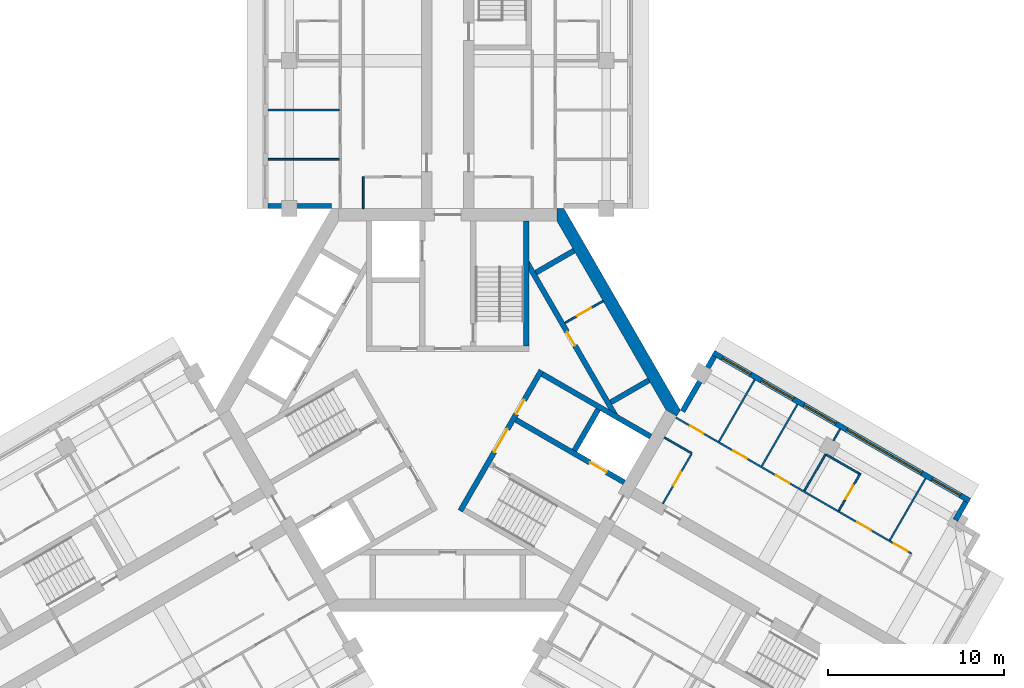
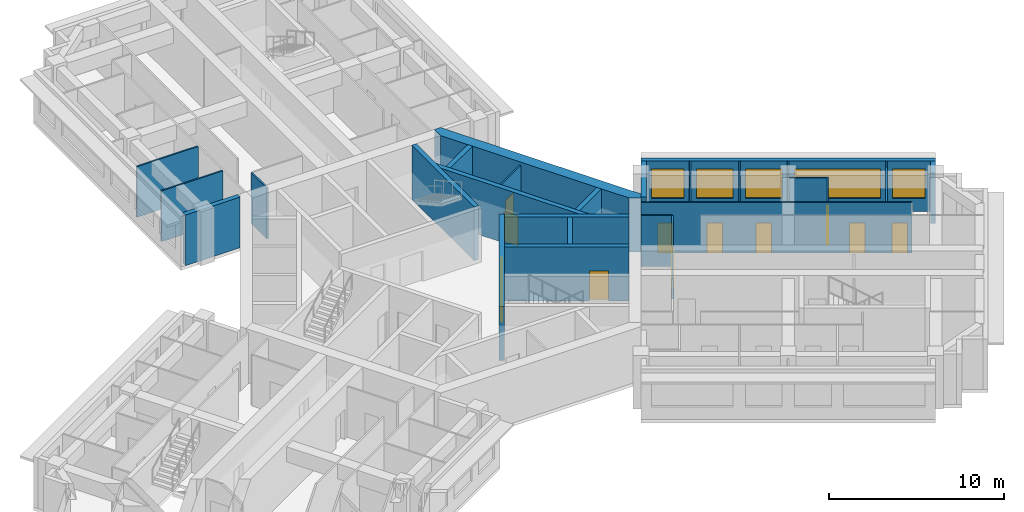
# One storey, part 6 of 10: 27 walls, 12 doors, 5 windows, 17 openings.
"""IFC4 building model written with IfcOpenShell, lengths in metres."""

from ifc_helpers import new_model, si_unit, direction, frame, frame_2d, origin, place, context, subcontext, project, spatial, polyline, rectangle, outline, extrude, material, layer, layer_set, type_object, element, fill, save


model = new_model("IFC4")

# Units and contexts
model_context = context("Model", 3, precision=1e-05, world=origin(), true_north=direction((0.0, 1.0)))
body_context = subcontext(model_context, "Body", "Model", "MODEL_VIEW")
ifc_project = project(units=[si_unit("LENGTHUNIT", "METRE"), si_unit("AREAUNIT", "SQUARE_METRE"), si_unit("VOLUMEUNIT", "CUBIC_METRE"), si_unit("PLANEANGLEUNIT", "RADIAN"), si_unit("MASSUNIT", "GRAM", prefix="KILO")], contexts=[model_context])

# Site, building, storey
site_placement = place(None, origin())
site = spatial("IfcSite", under=ifc_project, at=site_placement, CompositionType="ELEMENT")
building_placement = place(site_placement, origin())
building = spatial("IfcBuilding", under=site, at=building_placement, Name="Impinga Residences", CompositionType="ELEMENT")
storey_placement = place(building_placement, frame((0.0, 0.0, 267.25)))
storey = spatial("IfcBuildingStorey", under=building, at=storey_placement, Name="L67", CompositionType="ELEMENT", Elevation=267.25)

# Wall, opening, door
ifc_material_1 = material(Name="Concrete blockwork", Category="masonry")
ifc_layer_1 = layer(ifc_material_1, 0.10009765625)
ifc_layer_set_1 = layer_set([ifc_layer_1], Name="CP1 core room partition, blockwork 100")
wall_type_1 = type_object("IfcWallType", Name="CP1 core room partition, blockwork 100", PredefinedType="PARTITIONING", material=ifc_layer_set_1)
wall_1_placement = place(storey_placement, frame((6.65380859375, 4.9384765625, 0.0), z_axis=(0.0, 0.0, 1.0), x_axis=(0.866022959057, 0.500004234368, 0.0)))
wall_1 = element("IfcWall", 1, at=wall_1_placement, inside=storey, type_object=wall_type_1, Name="Core room partition, blockwork L67:CORE:mid:ZP1", PredefinedType="PARTITIONING", context=body_context, shape_type="SweptSolid", body=[
    extrude(rectangle(XDim=2.5, YDim=0.10009765625, at=frame_2d((1.25, 0.0))), origin(), (0.0, 0.0, 1.0), 3.530029296875),
])
opening_1_placement = place(wall_1_placement, frame((0.800048828125, 0.0, 0.0)))
opening_1 = element("IfcOpeningElement", 2, at=opening_1_placement, cuts=wall_1, Name="Opening D6", PredefinedType="OPENING", context=body_context, shape_type="SweptSolid", body=[
    extrude(rectangle(XDim=0.89990234375, YDim=2.10009765625, at=frame_2d((0.449951171875, 1.050048828125))), frame((0.0, 0.06005859375, 0.0), z_axis=(0.0, -1.0, 0.0), x_axis=(1.0, 0.0, 0.0)), (0.0, 0.0, 1.0), 0.1201171875),
])
ifc_material_2 = material(Name="Timber door set", Category="wood")
door_type_1 = type_object("IfcDoorType", Name="D6 riser and store door 900x2100", OperationType="SINGLE_SWING_LEFT", PredefinedType="DOOR", material=ifc_material_2)
door_1_placement = place(opening_1_placement, origin())
door_1 = element("IfcDoor", 3, at=door_1_placement, inside=storey, type_object=door_type_1, Name="Staff WC door", OperationType="SINGLE_SWING_LEFT", OverallHeight=2.10009765625, OverallWidth=0.89990234375, PredefinedType="DOOR", context=body_context, shape_type="SweptSolid", body=[
    extrude(rectangle(XDim=0.89990234375, YDim=2.10009765625, at=frame_2d((0.449951171875, 1.050048828125))), frame((0.0, 0.02490234375, 0.0), z_axis=(0.0, -1.0, 0.0), x_axis=(1.0, 0.0, 0.0)), (0.0, 0.0, 1.0), 0.050048828125),
])
fill(opening_1, door_1)

# Walls
ifc_material_3 = material(Name="Terracotta rainscreen on blockwork", Category="masonry")
ifc_layer_2 = layer(ifc_material_3, 0.300048828125)
ifc_layer_set_2 = layer_set([ifc_layer_2], Name="EW1 external wall, terracotta rainscreen on blockwork 300")
wall_type_2 = type_object("IfcWallType", Name="EW1 external wall, terracotta rainscreen on blockwork 300", PredefinedType="SOLIDWALL", material=ifc_layer_set_2)
wall_2_placement = place(storey_placement, frame((-6.60009765625, 11.58154296875, 0.0), z_axis=(0.0, 0.0, 1.0), x_axis=(-1.0, 0.0, 0.0)))
element("IfcWall", 4, at=wall_2_placement, inside=storey, type_object=wall_type_2, Name="External wall EW1 L67", PredefinedType="SOLIDWALL", context=body_context, shape_type="SweptSolid", body=[
    extrude(rectangle(XDim=3.599853515625, YDim=0.300048828125, at=frame_2d((1.7998046875, 0.0))), origin(), (0.0, 0.0, 1.0), 3.530029296875),
])
wall_3_placement = place(storey_placement, frame((13.329833984375, -0.074951171875, 0.0), z_axis=(0.0, 0.0, 1.0), x_axis=(0.500012057535, 0.866018442252, 0.0)))
element("IfcWall", 5, at=wall_3_placement, inside=storey, type_object=wall_type_2, Name="External wall EW1 L67", PredefinedType="SOLIDWALL", context=body_context, shape_type="SweptSolid", body=[
    extrude(rectangle(XDim=3.60009765625, YDim=0.300048828125, at=frame_2d((1.800048828125, 0.0))), origin(), (0.0, 0.0, 1.0), 3.530029296875),
])

# Wall, openings, windows
wall_4_placement = place(storey_placement, frame((15.074951171875, 3.24755859375, 0.0), z_axis=(0.0, 0.0, 1.0), x_axis=(0.86602925447, -0.499993330357, 0.0)))
wall_4 = element("IfcWall", 6, at=wall_4_placement, inside=storey, type_object=wall_type_2, Name="External wall EW1 L67", PredefinedType="SOLIDWALL", context=body_context, shape_type="SweptSolid", body=[
    extrude(rectangle(XDim=16.800048828125, YDim=0.300048828125, at=frame_2d((8.39990234375, 0.0))), origin(), (0.0, 0.0, 1.0), 3.530029296875),
])
opening_2_placement = place(wall_4_placement, frame((0.60009765625, 0.0, 0.89990234375)))
opening_2 = element("IfcOpeningElement", 7, at=opening_2_placement, cuts=wall_4, Name="Opening W15", PredefinedType="OPENING", context=body_context, shape_type="SweptSolid", body=[
    extrude(rectangle(XDim=1.85009765625, YDim=2.050048828125, at=frame_2d((0.925048828125, 1.02490234375))), frame((0.0, 0.159912109375, 0.0), z_axis=(0.0, -1.0, 0.0), x_axis=(1.0, 0.0, 0.0)), (0.0, 0.0, 1.0), 0.320068359375),
])
opening_3_placement = place(wall_4_placement, frame((3.14990234375, 0.0, 0.89990234375)))
opening_3 = element("IfcOpeningElement", 8, at=opening_3_placement, cuts=wall_4, Name="Opening W9", PredefinedType="OPENING", context=body_context, shape_type="SweptSolid", body=[
    extrude(rectangle(XDim=2.10009765625, YDim=2.050048828125, at=frame_2d((1.050048828125, 1.02490234375))), frame((0.0, 0.159912109375, 0.0), z_axis=(0.0, -1.0, 0.0), x_axis=(1.0, 0.0, 0.0)), (0.0, 0.0, 1.0), 0.320068359375),
])
opening_4_placement = place(wall_4_placement, frame((5.949951171875, 0.0, 0.89990234375)))
opening_4 = element("IfcOpeningElement", 9, at=opening_4_placement, cuts=wall_4, Name="Opening W9", PredefinedType="OPENING", context=body_context, shape_type="SweptSolid", body=[
    extrude(rectangle(XDim=2.10009765625, YDim=2.050048828125, at=frame_2d((1.050048828125, 1.02490234375))), frame((0.0, 0.159912109375, 0.0), z_axis=(0.0, -1.0, 0.0), x_axis=(1.0, 0.0, 0.0)), (0.0, 0.0, 1.0), 0.320068359375),
])
opening_5_placement = place(wall_4_placement, frame((8.75, 0.0, 0.89990234375)))
opening_5 = element("IfcOpeningElement", 10, at=opening_5_placement, cuts=wall_4, Name="Opening W16", PredefinedType="OPENING", context=body_context, shape_type="SweptSolid", body=[
    extrude(rectangle(XDim=4.89990234375, YDim=2.050048828125, at=frame_2d((2.449951171875, 1.02490234375))), frame((0.0, 0.159912109375, 0.0), z_axis=(0.0, -1.0, 0.0), x_axis=(1.0, 0.0, 0.0)), (0.0, 0.0, 1.0), 0.320068359375),
])
opening_6_placement = place(wall_4_placement, frame((14.35009765625, 0.0, 0.89990234375)))
opening_6 = element("IfcOpeningElement", 11, at=opening_6_placement, cuts=wall_4, Name="Opening W15", PredefinedType="OPENING", context=body_context, shape_type="SweptSolid", body=[
    extrude(rectangle(XDim=1.85009765625, YDim=2.050048828125, at=frame_2d((0.925048828125, 1.02490234375))), frame((0.0, 0.159912109375, 0.0), z_axis=(0.0, -1.0, 0.0), x_axis=(1.0, 0.0, 0.0)), (0.0, 0.0, 1.0), 0.320068359375),
])
ifc_material_4 = material(Name="Aluminium window, clear double glazing", Category="aluminium")
window_type_1 = type_object("IfcWindowType", Name="W15 ribbon window 1850x2050", PartitioningType="SINGLE_PANEL", PredefinedType="WINDOW", material=ifc_material_4)
window_1_placement = place(opening_2_placement, origin())
window_1 = element("IfcWindow", 12, at=window_1_placement, inside=storey, type_object=window_type_1, Name="Window L67", OverallHeight=2.050048828125, OverallWidth=1.85009765625, PartitioningType="SINGLE_PANEL", PredefinedType="WINDOW", context=body_context, shape_type="SweptSolid", body=[
    extrude(rectangle(XDim=1.85009765625, YDim=2.050048828125, at=frame_2d((0.925048828125, 1.02490234375))), frame((0.0, 0.030029296875, 0.0), z_axis=(0.0, -1.0, 0.0), x_axis=(1.0, 0.0, 0.0)), (0.0, 0.0, 1.0), 0.06005859375),
])
fill(opening_2, window_1)
window_2_placement = place(opening_6_placement, origin())
window_2 = element("IfcWindow", 13, at=window_2_placement, inside=storey, type_object=window_type_1, Name="Window L67", OverallHeight=2.050048828125, OverallWidth=1.85009765625, PartitioningType="SINGLE_PANEL", PredefinedType="WINDOW", context=body_context, shape_type="SweptSolid", body=[
    extrude(rectangle(XDim=1.85009765625, YDim=2.050048828125, at=frame_2d((0.925048828125, 1.02490234375))), frame((0.0, 0.030029296875, 0.0), z_axis=(0.0, -1.0, 0.0), x_axis=(1.0, 0.0, 0.0)), (0.0, 0.0, 1.0), 0.06005859375),
])
fill(opening_6, window_2)
window_type_2 = type_object("IfcWindowType", Name="W16 ribbon window 4900x2050", PartitioningType="SINGLE_PANEL", PredefinedType="WINDOW", material=ifc_material_4)
window_3_placement = place(opening_5_placement, origin())
window_3 = element("IfcWindow", 14, at=window_3_placement, inside=storey, type_object=window_type_2, Name="Window L67", OverallHeight=2.050048828125, OverallWidth=4.89990234375, PartitioningType="SINGLE_PANEL", PredefinedType="WINDOW", context=body_context, shape_type="SweptSolid", body=[
    extrude(rectangle(XDim=4.89990234375, YDim=2.050048828125, at=frame_2d((2.449951171875, 1.02490234375))), frame((0.0, 0.030029296875, 0.0), z_axis=(0.0, -1.0, 0.0), x_axis=(1.0, 0.0, 0.0)), (0.0, 0.0, 1.0), 0.06005859375),
])
fill(opening_5, window_3)
window_type_3 = type_object("IfcWindowType", Name="W9 ribbon window 2100x2050", PartitioningType="SINGLE_PANEL", PredefinedType="WINDOW", material=ifc_material_4)
window_4_placement = place(opening_3_placement, origin())
window_4 = element("IfcWindow", 15, at=window_4_placement, inside=storey, type_object=window_type_3, Name="Window L67", OverallHeight=2.050048828125, OverallWidth=2.10009765625, PartitioningType="SINGLE_PANEL", PredefinedType="WINDOW", context=body_context, shape_type="SweptSolid", body=[
    extrude(rectangle(XDim=2.10009765625, YDim=2.050048828125, at=frame_2d((1.050048828125, 1.02490234375))), frame((0.0, 0.030029296875, 0.0), z_axis=(0.0, -1.0, 0.0), x_axis=(1.0, 0.0, 0.0)), (0.0, 0.0, 1.0), 0.06005859375),
])
fill(opening_3, window_4)
window_5_placement = place(opening_4_placement, origin())
window_5 = element("IfcWindow", 16, at=window_5_placement, inside=storey, type_object=window_type_3, Name="Window L67", OverallHeight=2.050048828125, OverallWidth=2.10009765625, PartitioningType="SINGLE_PANEL", PredefinedType="WINDOW", context=body_context, shape_type="SweptSolid", body=[
    extrude(rectangle(XDim=2.10009765625, YDim=2.050048828125, at=frame_2d((1.050048828125, 1.02490234375))), frame((0.0, 0.030029296875, 0.0), z_axis=(0.0, -1.0, 0.0), x_axis=(1.0, 0.0, 0.0)), (0.0, 0.0, 1.0), 0.06005859375),
])
fill(opening_4, window_5)

# Walls
wall_5_placement = place(storey_placement, frame((29.41943359375, -5.207275390625, 0.0), z_axis=(0.0, 0.0, 1.0), x_axis=(-0.500033551112, -0.866006032174, 0.0)))
element("IfcWall", 17, at=wall_5_placement, inside=storey, type_object=wall_type_2, Name="External wall EW1 L67", PredefinedType="SOLIDWALL", context=body_context, shape_type="SweptSolid", body=[
    extrude(rectangle(XDim=1.2001953125, YDim=0.300048828125, at=frame_2d((0.60009765625, 0.0))), origin(), (0.0, 0.0, 1.0), 3.530029296875),
])
ifc_material_5 = material(Name="Gypsum board on steel studs", Category="steel")
ifc_layer_3 = layer(ifc_material_5, 0.10009765625)
ifc_layer_set_3 = layer_set([ifc_layer_3], Name="Gypsum board on steel studs")
wall_type_3 = type_object("IfcWallType", Name="IP1 partition 100", PredefinedType="PARTITIONING", material=ifc_layer_set_3)
wall_6_placement = place(storey_placement, frame((-4.800048828125, 11.431640625, 0.0), z_axis=(0.0, 0.0, 1.0), x_axis=(0.0, 1.0, 0.0)))
element("IfcWall", 18, at=wall_6_placement, inside=storey, type_object=wall_type_3, Name="Partition L67-NA1:DIV0", PredefinedType="PARTITIONING", context=body_context, shape_type="SweptSolid", body=[
    extrude(rectangle(XDim=1.7998046875, YDim=0.10009765625, at=frame_2d((0.89990234375, 0.0))), origin(), (0.0, 0.0, 1.0), 3.530029296875),
])
for number, where, z_axis, x_axis, name in (
    (19, (-6.14990234375, 14.2314453125, 0.0), (0.0, 0.0, 1.0), (-1.0, 0.0, 0.0), "Partition L67-NA1:OB1"),
    (20, (-6.14990234375, 17.031494140625, 0.0), (0.0, 0.0, 1.0), (-1.0, 0.0, 0.0), "Partition L67-NA1:OB2"),
):
    element("IfcWall", number, at=place(storey_placement, frame(where, z_axis=z_axis, x_axis=x_axis)), inside=storey, type_object=wall_type_3, Name=name, PredefinedType="PARTITIONING", context=body_context, shape_type="SweptSolid", body=[
        extrude(rectangle(XDim=4.050048828125, YDim=0.10009765625, at=frame_2d((2.02490234375, 0.0))), origin(), (0.0, 0.0, 1.0), 3.530029296875),
    ])
wall_7_placement = place(storey_placement, frame((12.300048828125, -1.558837890625, 0.0), z_axis=(0.0, 0.0, 1.0), x_axis=(0.866047807691, -0.499961193289, 0.0)))
element("IfcWall", 21, at=wall_7_placement, inside=storey, type_object=wall_type_3, Name="Partition L67-EA1:DIV0", PredefinedType="PARTITIONING", context=body_context, shape_type="SweptSolid", body=[
    extrude(rectangle(XDim=1.800048828125, YDim=0.10009765625, at=frame_2d((0.89990234375, 0.0))), origin(), (0.0, 0.0, 1.0), 3.530029296875),
])

# Wall, openings, doors
wall_8_placement = place(storey_placement, frame((12.949951171875, -0.43310546875, 0.0), z_axis=(0.0, 0.0, 1.0), x_axis=(0.866030066916, -0.499991923133, 0.0)))
wall_8 = element("IfcWall", 22, at=wall_8_placement, inside=storey, type_object=wall_type_3, Name="Partition L67-EA1:STRIP", PredefinedType="PARTITIONING", context=body_context, shape_type="SweptSolid", body=[
    extrude(rectangle(XDim=15.449951171875, YDim=0.10009765625, at=frame_2d((7.72509765625, 0.0))), origin(), (0.0, 0.0, 1.0), 3.530029296875),
])
opening_7_placement = place(wall_8_placement, frame((0.925048828125, 0.0, 0.0)))
opening_7 = element("IfcOpeningElement", 23, at=opening_7_placement, cuts=wall_8, Name="Opening D2", PredefinedType="OPENING", context=body_context, shape_type="SweptSolid", body=[
    extrude(rectangle(XDim=0.89990234375, YDim=2.10009765625, at=frame_2d((0.449951171875, 1.050048828125))), frame((0.0, 0.06005859375, 0.0), z_axis=(0.0, -1.0, 0.0), x_axis=(1.0, 0.0, 0.0)), (0.0, 0.0, 1.0), 0.1201171875),
])
opening_8_placement = place(wall_8_placement, frame((3.75, 0.0, 0.0)))
opening_8 = element("IfcOpeningElement", 24, at=opening_8_placement, cuts=wall_8, Name="Opening D2", PredefinedType="OPENING", context=body_context, shape_type="SweptSolid", body=[
    extrude(rectangle(XDim=0.89990234375, YDim=2.10009765625, at=frame_2d((0.449951171875, 1.050048828125))), frame((0.0, 0.06005859375, 0.0), z_axis=(0.0, -1.0, 0.0), x_axis=(1.0, 0.0, 0.0)), (0.0, 0.0, 1.0), 0.1201171875),
])
opening_9_placement = place(wall_8_placement, frame((6.550048828125, 0.0, 0.0)))
opening_9 = element("IfcOpeningElement", 25, at=opening_9_placement, cuts=wall_8, Name="Opening D2", PredefinedType="OPENING", context=body_context, shape_type="SweptSolid", body=[
    extrude(rectangle(XDim=0.89990234375, YDim=2.10009765625, at=frame_2d((0.449951171875, 1.050048828125))), frame((0.0, 0.06005859375, 0.0), z_axis=(0.0, -1.0, 0.0), x_axis=(1.0, 0.0, 0.0)), (0.0, 0.0, 1.0), 0.1201171875),
])
opening_10_placement = place(wall_8_placement, frame((11.875, 0.0, 0.0)))
opening_10 = element("IfcOpeningElement", 26, at=opening_10_placement, cuts=wall_8, Name="Opening D2", PredefinedType="OPENING", context=body_context, shape_type="SweptSolid", body=[
    extrude(rectangle(XDim=0.89990234375, YDim=2.10009765625, at=frame_2d((0.449951171875, 1.050048828125))), frame((0.0, 0.06005859375, 0.0), z_axis=(0.0, -1.0, 0.0), x_axis=(1.0, 0.0, 0.0)), (0.0, 0.0, 1.0), 0.1201171875),
])
opening_11_placement = place(wall_8_placement, frame((14.300048828125, 0.0, 0.0)))
opening_11 = element("IfcOpeningElement", 27, at=opening_11_placement, cuts=wall_8, Name="Opening D2", PredefinedType="OPENING", context=body_context, shape_type="SweptSolid", body=[
    extrude(rectangle(XDim=0.89990234375, YDim=2.10009765625, at=frame_2d((0.449951171875, 1.050048828125))), frame((0.0, 0.06005859375, 0.0), z_axis=(0.0, -1.0, 0.0), x_axis=(1.0, 0.0, 0.0)), (0.0, 0.0, 1.0), 0.1201171875),
])
door_type_2 = type_object("IfcDoorType", Name="D2 internal door 900x2100", OperationType="SINGLE_SWING_LEFT", PredefinedType="DOOR", material=ifc_material_2)
door_2_placement = place(opening_7_placement, origin())
door_2 = element("IfcDoor", 28, at=door_2_placement, inside=storey, type_object=door_type_2, Name="Apartment L67-EA1 room door", OperationType="SINGLE_SWING_LEFT", OverallHeight=2.10009765625, OverallWidth=0.89990234375, PredefinedType="DOOR", context=body_context, shape_type="SweptSolid", body=[
    extrude(rectangle(XDim=0.89990234375, YDim=2.10009765625, at=frame_2d((0.449951171875, 1.050048828125))), frame((0.0, 0.02490234375, 0.0), z_axis=(0.0, -1.0, 0.0), x_axis=(1.0, 0.0, 0.0)), (0.0, 0.0, 1.0), 0.050048828125),
])
fill(opening_7, door_2)
door_3_placement = place(opening_8_placement, origin())
door_3 = element("IfcDoor", 29, at=door_3_placement, inside=storey, type_object=door_type_2, Name="Apartment L67-EA1 room door", OperationType="SINGLE_SWING_LEFT", OverallHeight=2.10009765625, OverallWidth=0.89990234375, PredefinedType="DOOR", context=body_context, shape_type="SweptSolid", body=[
    extrude(rectangle(XDim=0.89990234375, YDim=2.10009765625, at=frame_2d((0.449951171875, 1.050048828125))), frame((0.0, 0.02490234375, 0.0), z_axis=(0.0, -1.0, 0.0), x_axis=(1.0, 0.0, 0.0)), (0.0, 0.0, 1.0), 0.050048828125),
])
fill(opening_8, door_3)
door_4_placement = place(opening_9_placement, origin())
door_4 = element("IfcDoor", 30, at=door_4_placement, inside=storey, type_object=door_type_2, Name="Apartment L67-EA1 room door", OperationType="SINGLE_SWING_LEFT", OverallHeight=2.10009765625, OverallWidth=0.89990234375, PredefinedType="DOOR", context=body_context, shape_type="SweptSolid", body=[
    extrude(rectangle(XDim=0.89990234375, YDim=2.10009765625, at=frame_2d((0.449951171875, 1.050048828125))), frame((0.0, 0.02490234375, 0.0), z_axis=(0.0, -1.0, 0.0), x_axis=(1.0, 0.0, 0.0)), (0.0, 0.0, 1.0), 0.050048828125),
])
fill(opening_9, door_4)
door_5_placement = place(opening_10_placement, origin())
door_5 = element("IfcDoor", 31, at=door_5_placement, inside=storey, type_object=door_type_2, Name="Apartment L67-EA1 room door", OperationType="SINGLE_SWING_RIGHT", OverallHeight=2.10009765625, OverallWidth=0.89990234375, PredefinedType="DOOR", context=body_context, shape_type="SweptSolid", body=[
    extrude(rectangle(XDim=0.89990234375, YDim=2.10009765625, at=frame_2d((0.449951171875, 1.050048828125))), frame((0.0, 0.02490234375, 0.0), z_axis=(0.0, -1.0, 0.0), x_axis=(1.0, 0.0, 0.0)), (0.0, 0.0, 1.0), 0.050048828125),
])
fill(opening_10, door_5)
door_6_placement = place(opening_11_placement, origin())
door_6 = element("IfcDoor", 32, at=door_6_placement, inside=storey, type_object=door_type_2, Name="Apartment L67-EA1 room door", OperationType="SINGLE_SWING_RIGHT", OverallHeight=2.10009765625, OverallWidth=0.89990234375, PredefinedType="DOOR", context=body_context, shape_type="SweptSolid", body=[
    extrude(rectangle(XDim=0.89990234375, YDim=2.10009765625, at=frame_2d((0.449951171875, 1.050048828125))), frame((0.0, 0.02490234375, 0.0), z_axis=(0.0, -1.0, 0.0), x_axis=(1.0, 0.0, 0.0)), (0.0, 0.0, 1.0), 0.050048828125),
])
fill(opening_11, door_6)

# Wall, opening, door
wall_9_placement = place(storey_placement, frame((12.208740234375, -5.316650390625, 0.0), z_axis=(0.0, 0.0, 1.0), x_axis=(0.500017246033, 0.866015446554, 0.0)))
wall_9 = element("IfcWall", 33, at=wall_9_placement, inside=storey, type_object=wall_type_3, Name="Partition L67-EA1:IB1", PredefinedType="PARTITIONING", context=body_context, shape_type="SweptSolid", body=[
    extrude(rectangle(XDim=3.25, YDim=0.10009765625, at=frame_2d((1.625, 0.0))), origin(), (0.0, 0.0, 1.0), 3.530029296875),
])
opening_12_placement = place(wall_9_placement, frame((1.175048828125, 0.0, 0.0)))
opening_12 = element("IfcOpeningElement", 34, at=opening_12_placement, cuts=wall_9, Name="Opening D2", PredefinedType="OPENING", context=body_context, shape_type="SweptSolid", body=[
    extrude(rectangle(XDim=0.89990234375, YDim=2.10009765625, at=frame_2d((0.449951171875, 1.050048828125))), frame((0.0, 0.06005859375, 0.0), z_axis=(0.0, -1.0, 0.0), x_axis=(1.0, 0.0, 0.0)), (0.0, 0.0, 1.0), 0.1201171875),
])
door_7_placement = place(opening_12_placement, origin())
door_7 = element("IfcDoor", 35, at=door_7_placement, inside=storey, type_object=door_type_2, Name="Apartment L67-EA1 bathroom door", OperationType="SINGLE_SWING_LEFT", OverallHeight=2.10009765625, OverallWidth=0.89990234375, PredefinedType="DOOR", context=body_context, shape_type="SweptSolid", body=[
    extrude(rectangle(XDim=0.89990234375, YDim=2.10009765625, at=frame_2d((0.449951171875, 1.050048828125))), frame((0.0, 0.02490234375, 0.0), z_axis=(0.0, -1.0, 0.0), x_axis=(1.0, 0.0, 0.0)), (0.0, 0.0, 1.0), 0.050048828125),
])
fill(opening_12, door_7)

# Walls
for number, where, z_axis, x_axis, name in (
    (36, (15.39990234375, -1.789794921875, 0.0), (0.0, 0.0, 1.0), (0.499964223975, 0.866046058097, 0.0), "Partition L67-EA1:OB1"),
    (37, (17.82470703125, -3.189697265625, 0.0), (0.0, 0.0, 1.0), (0.500035537042, 0.866004885491, 0.0), "Partition L67-EA1:OB2"),
):
    element("IfcWall", number, at=place(storey_placement, frame(where, z_axis=z_axis, x_axis=x_axis)), inside=storey, type_object=wall_type_3, Name=name, PredefinedType="PARTITIONING", context=body_context, shape_type="SweptSolid", body=[
        extrude(rectangle(XDim=4.050048828125, YDim=0.10009765625, at=frame_2d((2.02490234375, 0.0))), origin(), (0.0, 0.0, 1.0), 3.530029296875),
    ])
wall_10_placement = place(storey_placement, frame((20.24951171875, -4.589599609375, 0.0), z_axis=(0.0, 0.0, 1.0), x_axis=(0.500077600433, 0.865980596518, 0.0)))
element("IfcWall", 38, at=wall_10_placement, inside=storey, type_object=wall_type_3, Name="Partition L67-EA1:OB3", PredefinedType="PARTITIONING", context=body_context, shape_type="SweptSolid", body=[
    extrude(rectangle(XDim=2.39990234375, YDim=0.10009765625, at=frame_2d((1.199951171875, 0.0))), origin(), (0.0, 0.0, 1.0), 2.47998046875),
])
wall_11_placement = place(storey_placement, frame((21.899658203125, -1.73193359375, 0.0), z_axis=(0.0, 0.0, 1.0), x_axis=(0.499919672301, 0.866071776036, 0.0)))
element("IfcWall", 39, at=wall_11_placement, inside=storey, type_object=wall_type_3, Name="Partition L67-EA1:OB3b", PredefinedType="PARTITIONING", context=body_context, shape_type="SweptSolid", body=[
    extrude(rectangle(XDim=0.75, YDim=0.10009765625, at=frame_2d((0.375, 0.0))), origin(), (0.0, 0.0, 1.0), 3.530029296875),
])
wall_12_placement = place(storey_placement, frame((25.099365234375, -7.3896484375, 0.0), z_axis=(0.0, 0.0, 1.0), x_axis=(0.499990325971, 0.866030989016, 0.0)))
element("IfcWall", 40, at=wall_12_placement, inside=storey, type_object=wall_type_3, Name="Partition L67-EA1:OB4", PredefinedType="PARTITIONING", context=body_context, shape_type="SweptSolid", body=[
    extrude(rectangle(XDim=4.0498046875, YDim=0.10009765625, at=frame_2d((2.02490234375, 0.0))), origin(), (0.0, 0.0, 1.0), 3.530029296875),
])

# Wall, opening, door
wall_13_placement = place(storey_placement, frame((22.1982421875, -5.714599609375, 0.0), z_axis=(0.0, 0.0, 1.0), x_axis=(0.499987006516, 0.866032905446, 0.0)))
wall_13 = element("IfcWall", 41, at=wall_13_placement, inside=storey, type_object=wall_type_3, Name="Partition L67-EA1:EN1", PredefinedType="PARTITIONING", context=body_context, shape_type="SweptSolid", body=[
    extrude(rectangle(XDim=2.44970703125, YDim=0.10009765625, at=frame_2d((1.224853515625, 0.0))), origin(), (0.0, 0.0, 1.0), 3.530029296875),
])
opening_13_placement = place(wall_13_placement, frame((0.75, 0.0, 0.0)))
opening_13 = element("IfcOpeningElement", 42, at=opening_13_placement, cuts=wall_13, Name="Opening D2", PredefinedType="OPENING", context=body_context, shape_type="SweptSolid", body=[
    extrude(rectangle(XDim=0.89990234375, YDim=2.10009765625, at=frame_2d((0.449951171875, 1.050048828125))), frame((0.0, 0.06005859375, 0.0), z_axis=(0.0, -1.0, 0.0), x_axis=(1.0, 0.0, 0.0)), (0.0, 0.0, 1.0), 0.1201171875),
])
door_8_placement = place(opening_13_placement, origin())
door_8 = element("IfcDoor", 43, at=door_8_placement, inside=storey, type_object=door_type_2, Name="Apartment L67-EA1 en-suite door", OperationType="SINGLE_SWING_LEFT", OverallHeight=2.10009765625, OverallWidth=0.89990234375, PredefinedType="DOOR", context=body_context, shape_type="SweptSolid", body=[
    extrude(rectangle(XDim=0.89990234375, YDim=2.10009765625, at=frame_2d((0.449951171875, 1.050048828125))), frame((0.0, 0.02490234375, 0.0), z_axis=(0.0, -1.0, 0.0), x_axis=(1.0, 0.0, 0.0)), (0.0, 0.0, 1.0), 0.050048828125),
])
fill(opening_13, door_8)

# Walls
wall_14_placement = place(storey_placement, frame((21.492919921875, -2.5361328125, 0.0), z_axis=(0.0, 0.0, 1.0), x_axis=(0.865998386012, -0.500046793234, 0.0)))
element("IfcWall", 44, at=wall_14_placement, inside=storey, type_object=wall_type_3, Name="Partition L67-EA1:EN2", PredefinedType="PARTITIONING", context=body_context, shape_type="SweptSolid", body=[
    extrude(rectangle(XDim=2.150146484375, YDim=0.10009765625, at=frame_2d((1.0751953125, 0.0))), origin(), (0.0, 0.0, 1.0), 3.530029296875),
])
ifc_material_6 = material(Name="Concrete C60/75", Category="concrete")
ifc_layer_4 = layer(ifc_material_6, 0.699951171875)
ifc_layer_set_4 = layer_set([ifc_layer_4], Name="Concrete C60/75")
wall_type_4 = type_object("IfcWallType", Name="SW3 core wall 700", PredefinedType="SHEAR", material=ifc_layer_set_4)
wall_15_placement = place(storey_placement, origin())
element("IfcWall", 45, at=wall_15_placement, inside=storey, type_object=wall_type_4, Name="Core wall SW3 W:EXPOSED L67", PredefinedType="SHEAR", context=body_context, shape_type="SweptSolid", body=[
    extrude(outline(polyline([(13.199951171875, 0.0), (6.60009765625, 11.431640625), (6.19580078125, 11.431640625), (6.19580078125, 10.7314453125), (12.3916015625, 0.0), (12.998046875, -0.35009765625), (13.199951171875, 0.0)])), origin(), (0.0, 0.0, 1.0), 3.75),
])
ifc_material_7 = material(Name="Concrete C70/85", Category="concrete")
ifc_layer_5 = layer(ifc_material_7, 0.300048828125)
ifc_layer_set_5 = layer_set([ifc_layer_5], Name="Concrete C70/85")
wall_type_5 = type_object("IfcWallType", Name="SW5 core inner wall, stairs, shafts and lobbies 300", PredefinedType="SHEAR", material=ifc_layer_set_5)
wall_16_placement = place(storey_placement, frame((4.449951171875, 3.6298828125, 0.0), z_axis=(0.0, 0.0, 1.0), x_axis=(0.0, 1.0, 0.0)))
element("IfcWall", 46, at=wall_16_placement, inside=storey, type_object=wall_type_5, Name="Core wall SW5 N:ST-OUT L67", PredefinedType="SHEAR", context=body_context, shape_type="SweptSolid", body=[
    extrude(rectangle(XDim=7.1015625, YDim=0.300048828125, at=frame_2d((3.55078125, 0.0))), origin(), (0.0, 0.0, 1.0), 3.75),
])

# Wall, openings, doors
wall_17_placement = place(storey_placement, frame((5.313720703125, 2.24365234375, 0.0), z_axis=(0.0, 0.0, 1.0), x_axis=(-0.499995050369, -0.866028261437, 0.0)))
wall_17 = element("IfcWall", 47, at=wall_17_placement, inside=storey, type_object=wall_type_5, Name="Core wall SW5 E:ZONE L67", PredefinedType="SHEAR", context=body_context, shape_type="SweptSolid", body=[
    extrude(rectangle(XDim=9.19970703125, YDim=0.300048828125, at=frame_2d((4.599853515625, 0.0))), origin(), (0.0, 0.0, 1.0), 3.75),
])
opening_14_placement = place(wall_17_placement, frame((3.85009765625, 0.0, 0.0)))
opening_14 = element("IfcOpeningElement", 48, at=opening_14_placement, cuts=wall_17, Name="Opening D4", PredefinedType="OPENING", context=body_context, shape_type="SweptSolid", body=[
    extrude(rectangle(XDim=1.5, YDim=2.10009765625, at=frame_2d((0.75, 1.050048828125))), frame((0.0, 0.159912109375, 0.0), z_axis=(0.0, -1.0, 0.0), x_axis=(1.0, 0.0, 0.0)), (0.0, 0.0, 1.0), 0.320068359375),
])
opening_15_placement = place(wall_17_placement, frame((1.949951171875, 0.0, 0.0)))
opening_15 = element("IfcOpeningElement", 49, at=opening_15_placement, cuts=wall_17, Name="Opening D6", PredefinedType="OPENING", context=body_context, shape_type="SweptSolid", body=[
    extrude(rectangle(XDim=0.89990234375, YDim=2.10009765625, at=frame_2d((0.449951171875, 1.050048828125))), frame((0.0, 0.159912109375, 0.0), z_axis=(0.0, -1.0, 0.0), x_axis=(1.0, 0.0, 0.0)), (0.0, 0.0, 1.0), 0.320068359375),
])
door_type_3 = type_object("IfcDoorType", Name="D4 lobby door pair 1500x2100", OperationType="DOUBLE_DOOR_DOUBLE_SWING", PredefinedType="DOOR", material=ifc_material_2)
door_9_placement = place(opening_14_placement, origin())
door_9 = element("IfcDoor", 50, at=door_9_placement, inside=storey, type_object=door_type_3, Name="Firefighting lobby door E", OperationType="DOUBLE_DOOR_DOUBLE_SWING", OverallHeight=2.10009765625, OverallWidth=1.5, PredefinedType="DOOR", context=body_context, shape_type="SweptSolid", body=[
    extrude(rectangle(XDim=1.5, YDim=2.10009765625, at=frame_2d((0.75, 1.050048828125))), frame((0.0, 0.02490234375, 0.0), z_axis=(0.0, -1.0, 0.0), x_axis=(1.0, 0.0, 0.0)), (0.0, 0.0, 1.0), 0.050048828125),
])
fill(opening_14, door_9)
door_10_placement = place(opening_15_placement, origin())
door_10 = element("IfcDoor", 51, at=door_10_placement, inside=storey, type_object=door_type_1, Name="Riser door E", OperationType="SINGLE_SWING_LEFT", OverallHeight=2.10009765625, OverallWidth=0.89990234375, PredefinedType="DOOR", context=body_context, shape_type="SweptSolid", body=[
    extrude(rectangle(XDim=0.89990234375, YDim=2.10009765625, at=frame_2d((0.449951171875, 1.050048828125))), frame((0.0, 0.02490234375, 0.0), z_axis=(0.0, -1.0, 0.0), x_axis=(1.0, 0.0, 0.0)), (0.0, 0.0, 1.0), 0.050048828125),
])
fill(opening_15, door_10)

# Wall, opening, door
wall_18_placement = place(storey_placement, frame((3.86865234375, -0.559326171875, 0.0), z_axis=(0.0, 0.0, 1.0), x_axis=(0.866025859768, -0.499999210213, 0.0)))
wall_18 = element("IfcWall", 52, at=wall_18_placement, inside=storey, type_object=wall_type_5, Name="Core wall SW5 E:FF-IN L67", PredefinedType="SHEAR", context=body_context, shape_type="SweptSolid", body=[
    extrude(rectangle(XDim=7.1015625, YDim=0.300048828125, at=frame_2d((3.55078125, 0.0))), origin(), (0.0, 0.0, 1.0), 3.75),
])
opening_16_placement = place(wall_18_placement, frame((4.85009765625, 0.0, 0.0)))
opening_16 = element("IfcOpeningElement", 53, at=opening_16_placement, cuts=wall_18, Name="Opening LD2", PredefinedType="OPENING", context=body_context, shape_type="SweptSolid", body=[
    extrude(rectangle(XDim=1.10009765625, YDim=2.10009765625, at=frame_2d((0.550048828125, 1.050048828125))), frame((0.0, 0.159912109375, 0.0), z_axis=(0.0, -1.0, 0.0), x_axis=(1.0, 0.0, 0.0)), (0.0, 0.0, 1.0), 0.320068359375),
])
ifc_material_8 = material(Name="Steel lift landing door", Category="steel")
door_type_4 = type_object("IfcDoorType", Name="LD2 firefighting lift landing door 1100x2100", OperationType="DOUBLE_DOOR_SLIDING", PredefinedType="DOOR", material=ifc_material_8)
door_11_placement = place(opening_16_placement, origin())
door_11 = element("IfcDoor", 54, at=door_11_placement, inside=storey, type_object=door_type_4, Name="Firefighting lift landing door F3", OperationType="DOUBLE_DOOR_SLIDING", OverallHeight=2.10009765625, OverallWidth=1.10009765625, PredefinedType="DOOR", context=body_context, shape_type="SweptSolid", body=[
    extrude(rectangle(XDim=1.10009765625, YDim=2.10009765625, at=frame_2d((0.550048828125, 1.050048828125))), frame((0.0, 0.02490234375, 0.0), z_axis=(0.0, -1.0, 0.0), x_axis=(1.0, 0.0, 0.0)), (0.0, 0.0, 1.0), 0.050048828125),
])
fill(opening_16, door_11)

# Walls
wall_19_placement = place(storey_placement, frame((5.36865234375, 2.038818359375, 0.0), z_axis=(0.0, 0.0, 1.0), x_axis=(0.866025859768, -0.499999210213, 0.0)))
element("IfcWall", 55, at=wall_19_placement, inside=storey, type_object=wall_type_5, Name="Core wall SW5 E:FF-OUT L67", PredefinedType="SHEAR", context=body_context, shape_type="SweptSolid", body=[
    extrude(rectangle(XDim=7.1015625, YDim=0.300048828125, at=frame_2d((3.55078125, 0.0))), origin(), (0.0, 0.0, 1.0), 3.75),
])
wall_20_placement = place(storey_placement, frame((8.541259765625, 0.033935546875, 0.0), z_axis=(0.0, 0.0, 1.0), x_axis=(-0.50000943426, -0.866019956843, 0.0)))
element("IfcWall", 56, at=wall_20_placement, inside=storey, type_object=wall_type_5, Name="Core wall SW5 E:FF-RS L67", PredefinedType="SHEAR", context=body_context, shape_type="SweptSolid", body=[
    extrude(rectangle(XDim=2.7001953125, YDim=0.300048828125, at=frame_2d((1.35009765625, 0.0))), origin(), (0.0, 0.0, 1.0), 3.75),
])

# Wall, opening, door
wall_21_placement = place(storey_placement, frame((4.449951171875, 8.455322265625, 0.0), z_axis=(0.0, 0.0, 1.0), x_axis=(0.500002290144, -0.866024081565, 0.0)))
wall_21 = element("IfcWall", 57, at=wall_21_placement, inside=storey, type_object=wall_type_5, Name="Core wall SW5 W:BANK-FRONT L67", PredefinedType="SHEAR", context=body_context, shape_type="SweptSolid", body=[
    extrude(rectangle(XDim=10.1953125, YDim=0.300048828125, at=frame_2d((5.09765625, 0.0))), origin(), (0.0, 0.0, 1.0), 3.75),
])
opening_17_placement = place(wall_21_placement, frame((4.647705078125, 0.0, 0.0)))
opening_17 = element("IfcOpeningElement", 58, at=opening_17_placement, cuts=wall_21, Name="Opening D6", PredefinedType="OPENING", context=body_context, shape_type="SweptSolid", body=[
    extrude(rectangle(XDim=0.89990234375, YDim=2.10009765625, at=frame_2d((0.449951171875, 1.050048828125))), frame((0.0, 0.159912109375, 0.0), z_axis=(0.0, -1.0, 0.0), x_axis=(1.0, 0.0, 0.0)), (0.0, 0.0, 1.0), 0.320068359375),
])
door_12_placement = place(opening_17_placement, origin())
door_12 = element("IfcDoor", 59, at=door_12_placement, inside=storey, type_object=door_type_1, Name="Guest pantry door", OperationType="SINGLE_SWING_RIGHT", OverallHeight=2.10009765625, OverallWidth=0.89990234375, PredefinedType="DOOR", context=body_context, shape_type="SweptSolid", body=[
    extrude(rectangle(XDim=0.89990234375, YDim=2.10009765625, at=frame_2d((0.449951171875, 1.050048828125))), frame((0.0, 0.02490234375, 0.0), z_axis=(0.0, -1.0, 0.0), x_axis=(1.0, 0.0, 0.0)), (0.0, 0.0, 1.0), 0.050048828125),
])
fill(opening_17, door_12)

# Walls
for number, where, z_axis, x_axis, name in (
    (60, (5.003662109375, 7.79638671875, 0.0), (0.0, 0.0, 1.0), (0.866022959057, 0.500004234368, 0.0), "Core wall SW5 W:BANK-L L67"),
    (61, (9.253662109375, 0.43505859375, 0.0), (0.0, 0.0, 1.0), (0.866022959057, 0.500004234368, 0.0), "Core wall SW5 W:BANK-R L67"),
):
    element("IfcWall", number, at=place(storey_placement, frame(where, z_axis=z_axis, x_axis=x_axis)), inside=storey, type_object=wall_type_5, Name=name, PredefinedType="SHEAR", context=body_context, shape_type="SweptSolid", body=[
        extrude(rectangle(XDim=2.5, YDim=0.300048828125, at=frame_2d((1.25, 0.0))), origin(), (0.0, 0.0, 1.0), 3.75),
    ])

save(model, "model.ifc")
